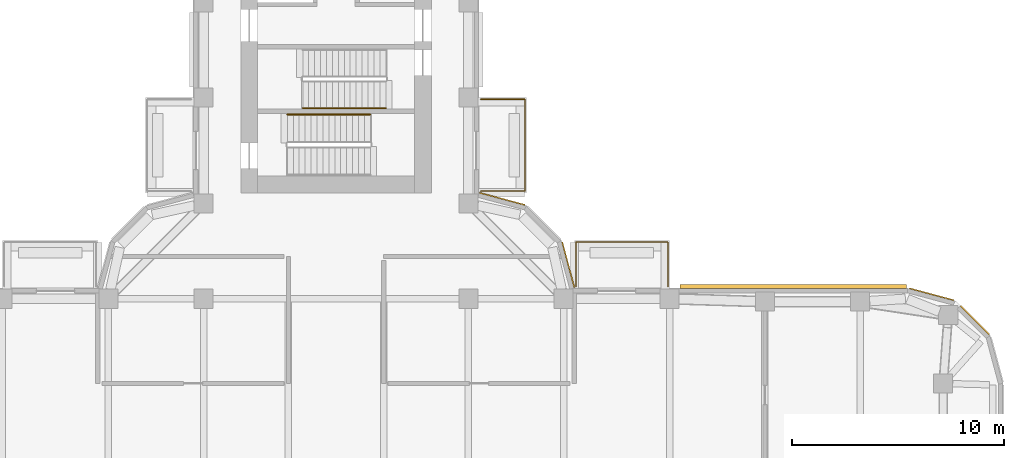
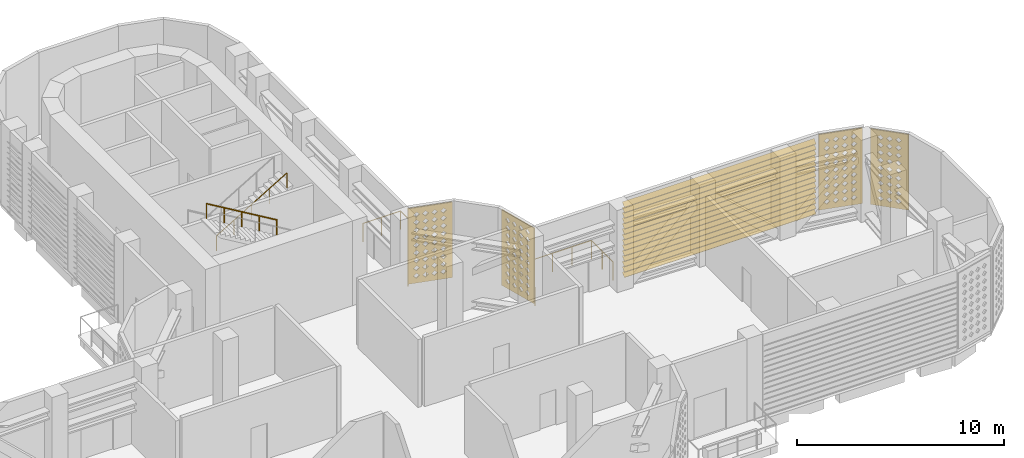
# One storey, part 17 of 20: 4 coverings, 4 railings, 1 shading device.
"""IFC4 building model written with IfcOpenShell, lengths in metres."""

import ifcopenshell
import ifcopenshell.guid

model = None  # the IFC model being written
_history = None  # IfcOwnerHistory: only IFC2X3 demands one
_inside = {}  # id of a spatial element -> (the spatial element, [elements in it])
_under = {}  # id of a project, library or spatial element -> (it, [spatial elements below it])
_declared = {}  # id of a project -> (the project, [libraries it declares])
_typed = {}  # id of a type object -> (the type object, [elements of that type])
_made_of = {}  # id of a material, layer set ... -> (it, [elements and type objects made of it])


def new_model(schema):
    """Start an empty IFC model of exactly this schema.

    Asked for "IFC4X3", IfcOpenShell would pick the latest addendum, in which some entities
    have other attributes; the version numbers below select the first issue.
    IFC2X3 requires an IfcOwnerHistory on every rooted entity: one is made here for all.
    """
    global model, _history
    if schema == "IFC4X3":
        model = ifcopenshell.file(schema_version=(4, 3, 0, 0))
    else:
        model = ifcopenshell.file(schema=schema)
    _inside.clear()
    _under.clear()
    _declared.clear()
    _typed.clear()
    _made_of.clear()
    _history = None
    if model.schema == "IFC2X3":
        org = make("IfcOrganization", Name="unknown")
        user = make(
            "IfcPersonAndOrganization",
            ThePerson=make("IfcPerson", FamilyName="unknown"),
            TheOrganization=org,
        )
        app = make(
            "IfcApplication",
            ApplicationDeveloper=org,
            Version="unknown",
            ApplicationFullName="unknown",
            ApplicationIdentifier="unknown",
        )
        _history = make(
            "IfcOwnerHistory",
            OwningUser=user,
            OwningApplication=app,
            ChangeAction="ADDED",
            CreationDate=0,
        )
    return model


def make(cls, **values):
    """One entity of the class cls with the attributes given. An attribute that is None is left unset."""
    return model.create_entity(
        cls, **{name: value for name, value in values.items() if value is not None}
    )


def rooted(cls, **values):
    """An entity with a GlobalId (a new one), such as an element, a storey or a relation."""
    return make(cls, GlobalId=ifcopenshell.guid.new(), OwnerHistory=_history, **values)


def si_unit(unit_type, name, prefix=None):
    """IfcSIUnit, for example si_unit("LENGTHUNIT", "METRE", prefix="MILLI")."""
    return make("IfcSIUnit", UnitType=unit_type, Prefix=prefix, Name=name)


def assignment(units):
    """IfcUnitAssignment: the units of a project."""
    return None if units is None else make("IfcUnitAssignment", Units=units)


def point(xyz):
    """IfcCartesianPoint."""
    return None if xyz is None else make("IfcCartesianPoint", Coordinates=xyz)


def direction(xyz):
    """IfcDirection."""
    return None if xyz is None else make("IfcDirection", DirectionRatios=xyz)


def frame(location, z_axis=None, x_axis=None):
    """IfcAxis2Placement3D, a coordinate frame: its origin and axes. An axis left out is left unset."""
    return make(
        "IfcAxis2Placement3D",
        Location=point(location),
        Axis=direction(z_axis),
        RefDirection=direction(x_axis),
    )


def frame_2d(location, x_axis=None):
    """IfcAxis2Placement2D, a coordinate frame in the plane: its origin and x axis."""
    return make(
        "IfcAxis2Placement2D", Location=point(location), RefDirection=direction(x_axis)
    )


def origin():
    """The frame at (0, 0, 0) with its axes left unset."""
    return frame((0.0, 0.0, 0.0))


def origin_2d():
    """The frame at (0, 0) in the plane with its x axis left unset."""
    return frame_2d((0.0, 0.0))


def place(relative_to, where):
    """IfcLocalPlacement: puts the frame where relative to a parent placement (None: the world)."""
    return make(
        "IfcLocalPlacement", PlacementRelTo=relative_to, RelativePlacement=where
    )


def context(
    kind, dimensions, precision=None, world=None, true_north=None, identifier=None
):
    """IfcGeometricRepresentationContext, for example the 3D "Model" context."""
    return make(
        "IfcGeometricRepresentationContext",
        ContextIdentifier=identifier,
        ContextType=kind,
        CoordinateSpaceDimension=dimensions,
        Precision=precision,
        WorldCoordinateSystem=world,
        TrueNorth=true_north,
    )


def subcontext(parent, identifier, kind, view, scale=None):
    """IfcGeometricRepresentationSubContext, for example "Body" below "Model"."""
    return make(
        "IfcGeometricRepresentationSubContext",
        ContextIdentifier=identifier,
        ContextType=kind,
        ParentContext=parent,
        TargetScale=scale,
        TargetView=view,
    )


def project(units=None, contexts=None):
    """IfcProject with its units and contexts."""
    return rooted(
        "IfcProject",
        Name="project",
        RepresentationContexts=contexts,
        UnitsInContext=assignment(units),
    )


def spatial(cls, under=None, at=None, **own):
    """A site, building, storey or space (cls), placed at a placement, below another one or the project."""
    s = rooted(cls, ObjectPlacement=at, **own)
    if under is not None:
        _under.setdefault(under.id(), (under, []))[1].append(s)
    return s


def polyline(points):
    """IfcPolyline through the points."""
    return make("IfcPolyline", Points=[point(p) for p in points])


def profile(cls, at=None, kind="AREA", **sizes):
    """A parametric profile (cls). Its sizes go by their IFC names, for example OverallWidth=200.0."""
    return make(cls, ProfileType=kind, Position=at, **sizes)


def circle(**sizes):
    """IfcCircleProfileDef."""
    return profile("IfcCircleProfileDef", **sizes)


def outline(outer, holes=None, kind="AREA"):
    """IfcArbitraryClosedProfileDef: a profile drawn as a closed curve; with holes, ...WithVoids."""
    if holes is None:
        return make("IfcArbitraryClosedProfileDef", ProfileType=kind, OuterCurve=outer)
    return make(
        "IfcArbitraryProfileDefWithVoids",
        ProfileType=kind,
        OuterCurve=outer,
        InnerCurves=holes,
    )


def extrude(swept, where, along, depth):
    """IfcExtrudedAreaSolid: the profile swept, set in the frame where, extruded along a direction by depth."""
    return make(
        "IfcExtrudedAreaSolid",
        SweptArea=swept,
        Position=where,
        ExtrudedDirection=direction(along),
        Depth=depth,
    )


def shape(context_of_items, identifier, shape_type, items):
    """IfcShapeRepresentation: the items that make up one representation, for example the "Body"."""
    return make(
        "IfcShapeRepresentation",
        ContextOfItems=context_of_items,
        RepresentationIdentifier=identifier,
        RepresentationType=shape_type,
        Items=items,
    )


def source(mapping_origin, context_of_items, identifier, shape_type, items):
    """IfcRepresentationMap: a shape defined once, which mapped items show again and again."""
    return make(
        "IfcRepresentationMap",
        MappingOrigin=mapping_origin,
        MappedRepresentation=shape(context_of_items, identifier, shape_type, items),
    )


def transform(
    local_origin,
    x_axis=None,
    y_axis=None,
    z_axis=None,
    scale=None,
    scale2=None,
    scale3=None,
    uniform=True,
):
    """IfcCartesianTransformationOperator3D, or its non-uniform kind. x_axis, y_axis, z_axis: its Axis1, 2, 3."""
    if uniform:
        return make(
            "IfcCartesianTransformationOperator3D",
            Axis1=direction(x_axis),
            Axis2=direction(y_axis),
            LocalOrigin=point(local_origin),
            Scale=scale,
            Axis3=direction(z_axis),
        )
    return make(
        "IfcCartesianTransformationOperator3DnonUniform",
        Axis1=direction(x_axis),
        Axis2=direction(y_axis),
        LocalOrigin=point(local_origin),
        Scale=scale,
        Axis3=direction(z_axis),
        Scale2=scale2,
        Scale3=scale3,
    )


def mapped(mapping_source, mapping_target):
    """IfcMappedItem: shows the shape of a source again, moved by a transform."""
    return make(
        "IfcMappedItem", MappingSource=mapping_source, MappingTarget=mapping_target
    )


def material(Name=None, Category=None):
    """IfcMaterial."""
    return make("IfcMaterial", Name=Name, Category=Category)


def layer(
    of_material, thickness, ventilated=None, Name=None, Category=None, Priority=None
):
    """IfcMaterialLayer: one layer of a wall or slab, of a material (None: an air gap)."""
    return make(
        "IfcMaterialLayer",
        Material=of_material,
        LayerThickness=thickness,
        IsVentilated=ventilated,
        Name=Name,
        Category=Category,
        Priority=Priority,
    )


def layer_set(layers, Name=None):
    """IfcMaterialLayerSet."""
    return make("IfcMaterialLayerSet", MaterialLayers=layers, LayerSetName=Name)


def made_of(thing, what):
    """Note that an element or type object is made of a material, layer set ...; save() writes the relation."""
    if what is not None:
        _made_of.setdefault(what.id(), (what, []))[1].append(thing)
    return thing


def type_object(cls, material=None, **own):
    """A type object (cls), such as IfcWallType, which elements share."""
    return made_of(rooted(cls, **own), material)


def element(
    cls,
    number,
    at=None,
    inside=None,
    cuts=None,
    type_object=None,
    material=None,
    context=None,
    identifier="Body",
    shape_type=None,
    held_by="IfcProductDefinitionShape",
    body=None,
    shapes=None,
    **own,
):
    """One element of the class cls, such as IfcWall. Its Tag is "e" and its number.

    at: its placement. inside: the storey or other place that contains it. cuts: it is an
    opening in that element (IfcRelVoidsElement). A single representation is given by context,
    identifier, shape_type and body (its items); several are given by shapes. held_by: the class
    of the entity that holds the representations. save() writes the other relations.
    """
    e = rooted(cls, Tag="e%d" % number, ObjectPlacement=at, **own)
    if body is not None:
        shapes = [shape(context, identifier, shape_type, body)]
    if shapes is not None:
        e.Representation = make(held_by, Representations=shapes)
    if inside is not None:
        _inside.setdefault(inside.id(), (inside, []))[1].append(e)
    if cuts is not None:
        rooted(
            "IfcRelVoidsElement", RelatingBuildingElement=cuts, RelatedOpeningElement=e
        )
    if type_object is not None:
        _typed.setdefault(type_object.id(), (type_object, []))[1].append(e)
    return made_of(e, material)


def aggregate(whole, parts):
    """IfcRelAggregates: a whole, such as a stair, and the parts it consists of."""
    return rooted("IfcRelAggregates", RelatingObject=whole, RelatedObjects=parts)


def save(model, path):
    """Write the relations noted so far, then the file.

    IfcRelAggregates (storeys below a building ...), IfcRelContainedInSpatialStructure (elements
    in a storey), IfcRelDefinesByType, IfcRelAssociatesMaterial and IfcRelDeclares: one each for
    every whole, place, type object, material and project.
    """
    for whole, parts in _under.values():
        aggregate(whole, parts)
    for where, things in _inside.values():
        rooted(
            "IfcRelContainedInSpatialStructure",
            RelatedElements=things,
            RelatingStructure=where,
        )
    for kind, things in _typed.values():
        rooted("IfcRelDefinesByType", RelatedObjects=things, RelatingType=kind)
    for what, things in _made_of.values():
        rooted("IfcRelAssociatesMaterial", RelatedObjects=things, RelatingMaterial=what)
    for by, libraries in _declared.values():
        rooted("IfcRelDeclares", RelatingContext=by, RelatedDefinitions=libraries)
    model.write(path)


model = new_model("IFC4")

# Units and contexts
model_context = context("Model", 3, precision=1e-05, world=origin(), true_north=direction((0.0, 1.0)))
body_context = subcontext(model_context, "Body", "Model", "MODEL_VIEW")
ifc_project = project(units=[si_unit("LENGTHUNIT", "METRE"), si_unit("AREAUNIT", "SQUARE_METRE"), si_unit("VOLUMEUNIT", "CUBIC_METRE"), si_unit("PLANEANGLEUNIT", "RADIAN"), si_unit("MASSUNIT", "GRAM", prefix="KILO")], contexts=[model_context])

# Site, building, storey
site_placement = place(None, origin())
site = spatial("IfcSite", under=ifc_project, at=site_placement, CompositionType="ELEMENT")
building_placement = place(site_placement, origin())
building = spatial("IfcBuilding", under=site, at=building_placement, Name="Zarbagh Exchange Tower", CompositionType="ELEMENT")
storey_placement = place(building_placement, frame((0.0, 0.0, 136.0)))
storey = spatial("IfcBuildingStorey", under=building, at=storey_placement, Name="L32", CompositionType="ELEMENT", Elevation=136.0)

# Railings
ifc_material_1 = material(Name="Stainless steel", Category="steel")
railing_type_1 = type_object("IfcRailingType", Name="Stair handrail 900 mm", PredefinedType="HANDRAIL", material=ifc_material_1)
railing_1_placement = place(storey_placement, frame((-1.570068359375, 15.25, 2.666748046875)))
element("IfcRailing", 1, at=railing_1_placement, inside=storey, type_object=railing_type_1, Name="ST1 stair handrail 2", PredefinedType="HANDRAIL", context=body_context, shape_type="SweptSolid", body=[
    extrude(circle(Radius=0.02392578125, at=origin_2d()), frame((0.0, 0.0, 0.8759765625), z_axis=(0.859310244771, 0.0, 0.511454693235), x_axis=(0.0, 1.0, 0.0)), (0.0, 0.0, 1.0), 4.56201171875),
    extrude(circle(Radius=0.02099609375, at=origin_2d()), origin(), (0.0, 0.0, 1.0), 0.851806640625),
    extrude(circle(Radius=0.02099609375, at=origin_2d()), frame((0.97998046875, 0.0, 0.583251953125)), (0.0, 0.0, 1.0), 0.851806640625),
    extrude(circle(Radius=0.02099609375, at=origin_2d()), frame((1.9599609375, 0.0, 1.16650390625)), (0.0, 0.0, 1.0), 0.851806640625),
    extrude(circle(Radius=0.02099609375, at=origin_2d()), frame((2.940185546875, 0.0, 1.75)), (0.0, 0.0, 1.0), 0.851806640625),
    extrude(circle(Radius=0.02099609375, at=origin_2d()), frame((3.920166015625, 0.0, 2.333251953125)), (0.0, 0.0, 1.0), 0.851806640625),
])
railing_2_placement = place(storey_placement, frame((1.6201171875, 14.949951171875, 2.666748046875)))
element("IfcRailing", 2, at=railing_2_placement, inside=storey, type_object=railing_type_1, Name="ST2 stair handrail 2", PredefinedType="HANDRAIL", context=body_context, shape_type="SweptSolid", body=[
    extrude(circle(Radius=0.02392578125, at=origin_2d()), frame((0.0, 0.0, 0.8759765625), z_axis=(-0.859310244771, 0.0, 0.511454693235), x_axis=(0.0, -1.0, 0.0)), (0.0, 0.0, 1.0), 4.56201171875),
    extrude(circle(Radius=0.02099609375, at=origin_2d()), origin(), (0.0, 0.0, 1.0), 0.851806640625),
    extrude(circle(Radius=0.02099609375, at=origin_2d()), frame((-0.97998046875, 0.0, 0.583251953125)), (0.0, 0.0, 1.0), 0.851806640625),
    extrude(circle(Radius=0.02099609375, at=origin_2d()), frame((-1.9599609375, 0.0, 1.16650390625)), (0.0, 0.0, 1.0), 0.851806640625),
    extrude(circle(Radius=0.02099609375, at=origin_2d()), frame((-2.940185546875, 0.0, 1.75)), (0.0, 0.0, 1.0), 0.851806640625),
    extrude(circle(Radius=0.02099609375, at=origin_2d()), frame((-3.920166015625, 0.0, 2.333251953125)), (0.0, 0.0, 1.0), 0.851806640625),
])
ifc_material_2 = material(Name="Stainless steel and laminated glass", Category="steel")
railing_type_2 = type_object("IfcRailingType", Name="Terrace guard, glass balustrade 1.1 m", PredefinedType="GUARDRAIL", material=ifc_material_2)
railing_3_placement = place(storey_placement, frame((6.830078125, 15.669921875, 0.0)))
element("IfcRailing", 3, at=railing_3_placement, inside=storey, type_object=railing_type_2, Name="TG01 terrace guard", PredefinedType="GUARDRAIL", context=body_context, shape_type="SweptSolid", body=[
    extrude(circle(Radius=0.02490234375, at=origin_2d()), frame((0.0, 0.0, 1.0751953125), z_axis=(1.0, 0.0, 0.0), x_axis=(0.0, 1.0, 0.0)), (0.0, 0.0, 1.0), 2.08984375),
    extrude(circle(Radius=0.02490234375, at=origin_2d()), frame((2.08984375, 0.0, 1.0751953125), z_axis=(0.0, -1.0, 0.0), x_axis=(1.0, 0.0, 0.0)), (0.0, 0.0, 1.0), 4.33984375),
    extrude(circle(Radius=0.02490234375, at=origin_2d()), frame((2.08984375, -4.33984375, 1.0751953125), z_axis=(-1.0, 0.0, 0.0), x_axis=(0.0, -1.0, 0.0)), (0.0, 0.0, 1.0), 2.08984375),
    extrude(circle(Radius=0.02490234375, at=origin_2d()), origin(), (0.0, 0.0, 1.0), 1.050048828125),
    extrude(circle(Radius=0.02490234375, at=origin_2d()), frame((1.044921875, 0.0, 0.0)), (0.0, 0.0, 1.0), 1.050048828125),
    extrude(circle(Radius=0.02490234375, at=origin_2d()), frame((2.08984375, 0.0, 0.0)), (0.0, 0.0, 1.0), 1.050048828125),
    extrude(circle(Radius=0.02490234375, at=origin_2d()), frame((2.08984375, -1.0849609375, 0.0)), (0.0, 0.0, 1.0), 1.050048828125),
    extrude(circle(Radius=0.02490234375, at=origin_2d()), frame((2.08984375, -2.169921875, 0.0)), (0.0, 0.0, 1.0), 1.050048828125),
    extrude(circle(Radius=0.02490234375, at=origin_2d()), frame((2.08984375, -3.2548828125, 0.0)), (0.0, 0.0, 1.0), 1.050048828125),
    extrude(circle(Radius=0.02490234375, at=origin_2d()), frame((2.08984375, -4.33984375, 0.0)), (0.0, 0.0, 1.0), 1.050048828125),
    extrude(circle(Radius=0.02490234375, at=origin_2d()), frame((1.044921875, -4.33984375, 0.0)), (0.0, 0.0, 1.0), 1.050048828125),
    extrude(circle(Radius=0.02490234375, at=origin_2d()), frame((0.0, -4.33984375, 0.0)), (0.0, 0.0, 1.0), 1.050048828125),
])
railing_4_placement = place(storey_placement, frame((11.330078125, 6.830078125, 0.0)))
element("IfcRailing", 4, at=railing_4_placement, inside=storey, type_object=railing_type_2, Name="TG01 terrace guard", PredefinedType="GUARDRAIL", context=body_context, shape_type="SweptSolid", body=[
    extrude(circle(Radius=0.02490234375, at=origin_2d()), frame((0.0, 0.0, 1.0751953125), z_axis=(0.0, 1.0, 0.0), x_axis=(-1.0, 0.0, 0.0)), (0.0, 0.0, 1.0), 2.08984375),
    extrude(circle(Radius=0.02490234375, at=origin_2d()), frame((0.0, 2.08984375, 1.0751953125), z_axis=(1.0, 0.0, 0.0), x_axis=(0.0, 1.0, 0.0)), (0.0, 0.0, 1.0), 4.33984375),
    extrude(circle(Radius=0.02490234375, at=origin_2d()), frame((4.33984375, 2.08984375, 1.0751953125), z_axis=(0.0, -1.0, 0.0), x_axis=(1.0, 0.0, 0.0)), (0.0, 0.0, 1.0), 2.08984375),
    extrude(circle(Radius=0.02490234375, at=origin_2d()), origin(), (0.0, 0.0, 1.0), 1.050048828125),
    extrude(circle(Radius=0.02490234375, at=origin_2d()), frame((0.0, 1.044921875, 0.0)), (0.0, 0.0, 1.0), 1.050048828125),
    extrude(circle(Radius=0.02490234375, at=origin_2d()), frame((0.0, 2.08984375, 0.0)), (0.0, 0.0, 1.0), 1.050048828125),
    extrude(circle(Radius=0.02490234375, at=origin_2d()), frame((1.0849609375, 2.08984375, 0.0)), (0.0, 0.0, 1.0), 1.050048828125),
    extrude(circle(Radius=0.02490234375, at=origin_2d()), frame((2.169921875, 2.08984375, 0.0)), (0.0, 0.0, 1.0), 1.050048828125),
    extrude(circle(Radius=0.02490234375, at=origin_2d()), frame((3.2548828125, 2.08984375, 0.0)), (0.0, 0.0, 1.0), 1.050048828125),
    extrude(circle(Radius=0.02490234375, at=origin_2d()), frame((4.33984375, 2.08984375, 0.0)), (0.0, 0.0, 1.0), 1.050048828125),
    extrude(circle(Radius=0.02490234375, at=origin_2d()), frame((4.33984375, 1.044921875, 0.0)), (0.0, 0.0, 1.0), 1.050048828125),
    extrude(circle(Radius=0.02490234375, at=origin_2d()), frame((4.33984375, 0.0, 0.0)), (0.0, 0.0, 1.0), 1.050048828125),
])

# Coverings
ifc_material_3 = material(Name="Glass-fibre reinforced concrete GFRC C50/60", Category="concrete")
ifc_layer = layer(ifc_material_3, 0.06005859375)
ifc_layer_set = layer_set([ifc_layer], Name="SCREEN jali panel, GFRC")
covering_type = type_object("IfcCoveringType", Name="SCREEN jali panel, GFRC", PredefinedType="CLADDING", material=ifc_layer_set)
shared_shape_1 = source(origin(), body_context, "Body", "SweptSolid", [
    extrude(outline(polyline([(0.0, 0.0), (2.181396484375, 0.0), (2.181396484375, 4.449951171875), (0.0, 4.449951171875), (0.0, 0.0)]), holes=[polyline([(0.265625, 0.425048828125), (0.415771484375, 0.27490234375), (0.565673828125, 0.425048828125), (0.415771484375, 0.574951171875), (0.265625, 0.425048828125)]), polyline([(0.265625, 0.875), (0.415771484375, 0.72509765625), (0.565673828125, 0.875), (0.415771484375, 1.02490234375), (0.265625, 0.875)]), polyline([(0.265625, 1.324951171875), (0.415771484375, 1.175048828125), (0.565673828125, 1.324951171875), (0.415771484375, 1.47509765625), (0.265625, 1.324951171875)]), polyline([(0.265625, 1.77490234375), (0.415771484375, 1.625), (0.565673828125, 1.77490234375), (0.415771484375, 1.925048828125), (0.265625, 1.77490234375)]), polyline([(0.265625, 2.22509765625), (0.415771484375, 2.074951171875), (0.565673828125, 2.22509765625), (0.415771484375, 2.375), (0.265625, 2.22509765625)]), polyline([(0.265625, 2.675048828125), (0.415771484375, 2.52490234375), (0.565673828125, 2.675048828125), (0.415771484375, 2.824951171875), (0.265625, 2.675048828125)]), polyline([(0.265625, 3.125), (0.415771484375, 2.97509765625), (0.565673828125, 3.125), (0.415771484375, 3.27490234375), (0.265625, 3.125)]), polyline([(0.265625, 3.574951171875), (0.415771484375, 3.425048828125), (0.565673828125, 3.574951171875), (0.415771484375, 3.72509765625), (0.265625, 3.574951171875)]), polyline([(0.265625, 4.02490234375), (0.415771484375, 3.875), (0.565673828125, 4.02490234375), (0.415771484375, 4.175048828125), (0.265625, 4.02490234375)]), polyline([(0.7158203125, 0.425048828125), (0.86572265625, 0.27490234375), (1.015625, 0.425048828125), (0.86572265625, 0.574951171875), (0.7158203125, 0.425048828125)]), polyline([(0.7158203125, 0.875), (0.86572265625, 0.72509765625), (1.015625, 0.875), (0.86572265625, 1.02490234375), (0.7158203125, 0.875)]), polyline([(0.7158203125, 1.324951171875), (0.86572265625, 1.175048828125), (1.015625, 1.324951171875), (0.86572265625, 1.47509765625), (0.7158203125, 1.324951171875)]), polyline([(0.7158203125, 1.77490234375), (0.86572265625, 1.625), (1.015625, 1.77490234375), (0.86572265625, 1.925048828125), (0.7158203125, 1.77490234375)]), polyline([(0.7158203125, 2.22509765625), (0.86572265625, 2.074951171875), (1.015625, 2.22509765625), (0.86572265625, 2.375), (0.7158203125, 2.22509765625)]), polyline([(0.7158203125, 2.675048828125), (0.86572265625, 2.52490234375), (1.015625, 2.675048828125), (0.86572265625, 2.824951171875), (0.7158203125, 2.675048828125)]), polyline([(0.7158203125, 3.125), (0.86572265625, 2.97509765625), (1.015625, 3.125), (0.86572265625, 3.27490234375), (0.7158203125, 3.125)]), polyline([(0.7158203125, 3.574951171875), (0.86572265625, 3.425048828125), (1.015625, 3.574951171875), (0.86572265625, 3.72509765625), (0.7158203125, 3.574951171875)]), polyline([(0.7158203125, 4.02490234375), (0.86572265625, 3.875), (1.015625, 4.02490234375), (0.86572265625, 4.175048828125), (0.7158203125, 4.02490234375)]), polyline([(1.165771484375, 0.425048828125), (1.315673828125, 0.27490234375), (1.4658203125, 0.425048828125), (1.315673828125, 0.574951171875), (1.165771484375, 0.425048828125)]), polyline([(1.165771484375, 0.875), (1.315673828125, 0.72509765625), (1.4658203125, 0.875), (1.315673828125, 1.02490234375), (1.165771484375, 0.875)]), polyline([(1.165771484375, 1.324951171875), (1.315673828125, 1.175048828125), (1.4658203125, 1.324951171875), (1.315673828125, 1.47509765625), (1.165771484375, 1.324951171875)]), polyline([(1.165771484375, 1.77490234375), (1.315673828125, 1.625), (1.4658203125, 1.77490234375), (1.315673828125, 1.925048828125), (1.165771484375, 1.77490234375)]), polyline([(1.165771484375, 2.22509765625), (1.315673828125, 2.074951171875), (1.4658203125, 2.22509765625), (1.315673828125, 2.375), (1.165771484375, 2.22509765625)]), polyline([(1.165771484375, 2.675048828125), (1.315673828125, 2.52490234375), (1.4658203125, 2.675048828125), (1.315673828125, 2.824951171875), (1.165771484375, 2.675048828125)]), polyline([(1.165771484375, 3.125), (1.315673828125, 2.97509765625), (1.4658203125, 3.125), (1.315673828125, 3.27490234375), (1.165771484375, 3.125)]), polyline([(1.165771484375, 3.574951171875), (1.315673828125, 3.425048828125), (1.4658203125, 3.574951171875), (1.315673828125, 3.72509765625), (1.165771484375, 3.574951171875)]), polyline([(1.165771484375, 4.02490234375), (1.315673828125, 3.875), (1.4658203125, 4.02490234375), (1.315673828125, 4.175048828125), (1.165771484375, 4.02490234375)]), polyline([(1.61572265625, 0.425048828125), (1.765625, 0.27490234375), (1.915771484375, 0.425048828125), (1.765625, 0.574951171875), (1.61572265625, 0.425048828125)]), polyline([(1.61572265625, 0.875), (1.765625, 0.72509765625), (1.915771484375, 0.875), (1.765625, 1.02490234375), (1.61572265625, 0.875)]), polyline([(1.61572265625, 1.324951171875), (1.765625, 1.175048828125), (1.915771484375, 1.324951171875), (1.765625, 1.47509765625), (1.61572265625, 1.324951171875)]), polyline([(1.61572265625, 1.77490234375), (1.765625, 1.625), (1.915771484375, 1.77490234375), (1.765625, 1.925048828125), (1.61572265625, 1.77490234375)]), polyline([(1.61572265625, 2.22509765625), (1.765625, 2.074951171875), (1.915771484375, 2.22509765625), (1.765625, 2.375), (1.61572265625, 2.22509765625)]), polyline([(1.61572265625, 2.675048828125), (1.765625, 2.52490234375), (1.915771484375, 2.675048828125), (1.765625, 2.824951171875), (1.61572265625, 2.675048828125)]), polyline([(1.61572265625, 3.125), (1.765625, 2.97509765625), (1.915771484375, 3.125), (1.765625, 3.27490234375), (1.61572265625, 3.125)]), polyline([(1.61572265625, 3.574951171875), (1.765625, 3.425048828125), (1.915771484375, 3.574951171875), (1.765625, 3.72509765625), (1.61572265625, 3.574951171875)]), polyline([(1.61572265625, 4.02490234375), (1.765625, 3.875), (1.915771484375, 4.02490234375), (1.765625, 4.175048828125), (1.61572265625, 4.02490234375)])]), origin(), (0.0, 0.0, 1.0), 0.06005859375),
])
placement = place(storey_placement, origin())
element("IfcCovering", 5, at=placement, inside=storey, type_object=covering_type, Name="JS47 jali screen", PredefinedType="CLADDING", context=body_context, shape_type="MappedRepresentation", body=[
    mapped(shared_shape_1, transform((29.16552734375, 6.14892578125, 0.199951171875), x_axis=(-0.965924215207, 0.258825057666, 0.0), y_axis=(0.0, 0.0, 1.0), z_axis=(0.258825057666, 0.965924215207, 0.0))),
])
shared_shape_2 = source(origin(), body_context, "Body", "SweptSolid", [
    extrude(outline(polyline([(0.0, 0.0), (2.225341796875, 0.0), (2.225341796875, 4.449951171875), (0.0, 4.449951171875), (0.0, 0.0)]), holes=[polyline([(0.28759765625, 0.425048828125), (0.437744140625, 0.27490234375), (0.587646484375, 0.425048828125), (0.437744140625, 0.574951171875), (0.28759765625, 0.425048828125)]), polyline([(0.28759765625, 0.875), (0.437744140625, 0.72509765625), (0.587646484375, 0.875), (0.437744140625, 1.02490234375), (0.28759765625, 0.875)]), polyline([(0.28759765625, 1.324951171875), (0.437744140625, 1.175048828125), (0.587646484375, 1.324951171875), (0.437744140625, 1.47509765625), (0.28759765625, 1.324951171875)]), polyline([(0.28759765625, 1.77490234375), (0.437744140625, 1.625), (0.587646484375, 1.77490234375), (0.437744140625, 1.925048828125), (0.28759765625, 1.77490234375)]), polyline([(0.28759765625, 2.22509765625), (0.437744140625, 2.074951171875), (0.587646484375, 2.22509765625), (0.437744140625, 2.375), (0.28759765625, 2.22509765625)]), polyline([(0.28759765625, 2.675048828125), (0.437744140625, 2.52490234375), (0.587646484375, 2.675048828125), (0.437744140625, 2.824951171875), (0.28759765625, 2.675048828125)]), polyline([(0.28759765625, 3.125), (0.437744140625, 2.97509765625), (0.587646484375, 3.125), (0.437744140625, 3.27490234375), (0.28759765625, 3.125)]), polyline([(0.28759765625, 3.574951171875), (0.437744140625, 3.425048828125), (0.587646484375, 3.574951171875), (0.437744140625, 3.72509765625), (0.28759765625, 3.574951171875)]), polyline([(0.28759765625, 4.02490234375), (0.437744140625, 3.875), (0.587646484375, 4.02490234375), (0.437744140625, 4.175048828125), (0.28759765625, 4.02490234375)]), polyline([(0.73779296875, 0.425048828125), (0.8876953125, 0.27490234375), (1.03759765625, 0.425048828125), (0.8876953125, 0.574951171875), (0.73779296875, 0.425048828125)]), polyline([(0.73779296875, 0.875), (0.8876953125, 0.72509765625), (1.03759765625, 0.875), (0.8876953125, 1.02490234375), (0.73779296875, 0.875)]), polyline([(0.73779296875, 1.324951171875), (0.8876953125, 1.175048828125), (1.03759765625, 1.324951171875), (0.8876953125, 1.47509765625), (0.73779296875, 1.324951171875)]), polyline([(0.73779296875, 1.77490234375), (0.8876953125, 1.625), (1.03759765625, 1.77490234375), (0.8876953125, 1.925048828125), (0.73779296875, 1.77490234375)]), polyline([(0.73779296875, 2.22509765625), (0.8876953125, 2.074951171875), (1.03759765625, 2.22509765625), (0.8876953125, 2.375), (0.73779296875, 2.22509765625)]), polyline([(0.73779296875, 2.675048828125), (0.8876953125, 2.52490234375), (1.03759765625, 2.675048828125), (0.8876953125, 2.824951171875), (0.73779296875, 2.675048828125)]), polyline([(0.73779296875, 3.125), (0.8876953125, 2.97509765625), (1.03759765625, 3.125), (0.8876953125, 3.27490234375), (0.73779296875, 3.125)]), polyline([(0.73779296875, 3.574951171875), (0.8876953125, 3.425048828125), (1.03759765625, 3.574951171875), (0.8876953125, 3.72509765625), (0.73779296875, 3.574951171875)]), polyline([(0.73779296875, 4.02490234375), (0.8876953125, 3.875), (1.03759765625, 4.02490234375), (0.8876953125, 4.175048828125), (0.73779296875, 4.02490234375)]), polyline([(1.187744140625, 0.425048828125), (1.337646484375, 0.27490234375), (1.48779296875, 0.425048828125), (1.337646484375, 0.574951171875), (1.187744140625, 0.425048828125)]), polyline([(1.187744140625, 0.875), (1.337646484375, 0.72509765625), (1.48779296875, 0.875), (1.337646484375, 1.02490234375), (1.187744140625, 0.875)]), polyline([(1.187744140625, 1.324951171875), (1.337646484375, 1.175048828125), (1.48779296875, 1.324951171875), (1.337646484375, 1.47509765625), (1.187744140625, 1.324951171875)]), polyline([(1.187744140625, 1.77490234375), (1.337646484375, 1.625), (1.48779296875, 1.77490234375), (1.337646484375, 1.925048828125), (1.187744140625, 1.77490234375)]), polyline([(1.187744140625, 2.22509765625), (1.337646484375, 2.074951171875), (1.48779296875, 2.22509765625), (1.337646484375, 2.375), (1.187744140625, 2.22509765625)]), polyline([(1.187744140625, 2.675048828125), (1.337646484375, 2.52490234375), (1.48779296875, 2.675048828125), (1.337646484375, 2.824951171875), (1.187744140625, 2.675048828125)]), polyline([(1.187744140625, 3.125), (1.337646484375, 2.97509765625), (1.48779296875, 3.125), (1.337646484375, 3.27490234375), (1.187744140625, 3.125)]), polyline([(1.187744140625, 3.574951171875), (1.337646484375, 3.425048828125), (1.48779296875, 3.574951171875), (1.337646484375, 3.72509765625), (1.187744140625, 3.574951171875)]), polyline([(1.187744140625, 4.02490234375), (1.337646484375, 3.875), (1.48779296875, 4.02490234375), (1.337646484375, 4.175048828125), (1.187744140625, 4.02490234375)]), polyline([(1.6376953125, 0.425048828125), (1.78759765625, 0.27490234375), (1.937744140625, 0.425048828125), (1.78759765625, 0.574951171875), (1.6376953125, 0.425048828125)]), polyline([(1.6376953125, 0.875), (1.78759765625, 0.72509765625), (1.937744140625, 0.875), (1.78759765625, 1.02490234375), (1.6376953125, 0.875)]), polyline([(1.6376953125, 1.324951171875), (1.78759765625, 1.175048828125), (1.937744140625, 1.324951171875), (1.78759765625, 1.47509765625), (1.6376953125, 1.324951171875)]), polyline([(1.6376953125, 1.77490234375), (1.78759765625, 1.625), (1.937744140625, 1.77490234375), (1.78759765625, 1.925048828125), (1.6376953125, 1.77490234375)]), polyline([(1.6376953125, 2.22509765625), (1.78759765625, 2.074951171875), (1.937744140625, 2.22509765625), (1.78759765625, 2.375), (1.6376953125, 2.22509765625)]), polyline([(1.6376953125, 2.675048828125), (1.78759765625, 2.52490234375), (1.937744140625, 2.675048828125), (1.78759765625, 2.824951171875), (1.6376953125, 2.675048828125)]), polyline([(1.6376953125, 3.125), (1.78759765625, 2.97509765625), (1.937744140625, 3.125), (1.78759765625, 3.27490234375), (1.6376953125, 3.125)]), polyline([(1.6376953125, 3.574951171875), (1.78759765625, 3.425048828125), (1.937744140625, 3.574951171875), (1.78759765625, 3.72509765625), (1.6376953125, 3.574951171875)]), polyline([(1.6376953125, 4.02490234375), (1.78759765625, 3.875), (1.937744140625, 4.02490234375), (1.78759765625, 4.175048828125), (1.6376953125, 4.02490234375)])]), origin(), (0.0, 0.0, 1.0), 0.06005859375),
])
element("IfcCovering", 6, at=placement, inside=storey, type_object=covering_type, Name="JS14 jali screen", PredefinedType="CLADDING", context=body_context, shape_type="MappedRepresentation", body=[
    mapped(shared_shape_2, transform((11.22509765625, 6.765869140625, 0.199951171875), x_axis=(-0.258825057666, 0.965924215207, 0.0), y_axis=(0.0, 0.0, 1.0), z_axis=(0.965924215207, 0.258825057666, 0.0))),
])
element("IfcCovering", 7, at=placement, inside=storey, type_object=covering_type, Name="JS16 jali screen", PredefinedType="CLADDING", context=body_context, shape_type="MappedRepresentation", body=[
    mapped(shared_shape_2, transform((8.91552734375, 10.64892578125, 0.199951171875), x_axis=(-0.965924215207, 0.258825057666, 0.0), y_axis=(0.0, 0.0, 1.0), z_axis=(0.258825057666, 0.965924215207, 0.0))),
])

# Shading device
ifc_material_4 = material(Name="Anodised aluminium", Category="aluminium")
shading_device_type = type_object("IfcShadingDeviceType", Name="LOUVRE plant louvre, fixed blades", PredefinedType="USERDEFINED", material=ifc_material_4)
shared_shape_3 = source(origin(), body_context, "Body", "SweptSolid", [
    extrude(outline(polyline([(0.0, 0.199951171875), (0.199951171875, 0.0), (0.199951171875, -0.02001953125), (0.0, 0.179931640625), (0.0, 0.199951171875)])), origin(), (0.0, 0.0, 1.0), 10.694091796875),
])
element("IfcShadingDevice", 8, at=placement, inside=storey, type_object=shading_device_type, Name="LV10 plant louvre", ObjectType="LOUVRE", PredefinedType="USERDEFINED", context=body_context, shape_type="MappedRepresentation", body=[
    mapped(shared_shape_3, transform((26.93408203125, 6.72998046875, 0.199951171875), x_axis=(0.0, 1.0, 0.0), y_axis=(0.0, 0.0, -1.0), z_axis=(-1.0, 0.0, 0.0))),
    mapped(shared_shape_3, transform((26.93408203125, 6.72998046875, 0.517822265625), x_axis=(0.0, 1.0, 0.0), y_axis=(0.0, 0.0, -1.0), z_axis=(-1.0, 0.0, 0.0))),
    mapped(shared_shape_3, transform((26.93408203125, 6.72998046875, 0.835693359375), x_axis=(0.0, 1.0, 0.0), y_axis=(0.0, 0.0, -1.0), z_axis=(-1.0, 0.0, 0.0))),
    mapped(shared_shape_3, transform((26.93408203125, 6.72998046875, 1.153564453125), x_axis=(0.0, 1.0, 0.0), y_axis=(0.0, 0.0, -1.0), z_axis=(-1.0, 0.0, 0.0))),
    mapped(shared_shape_3, transform((26.93408203125, 6.72998046875, 1.471435546875), x_axis=(0.0, 1.0, 0.0), y_axis=(0.0, 0.0, -1.0), z_axis=(-1.0, 0.0, 0.0))),
    mapped(shared_shape_3, transform((26.93408203125, 6.72998046875, 1.789306640625), x_axis=(0.0, 1.0, 0.0), y_axis=(0.0, 0.0, -1.0), z_axis=(-1.0, 0.0, 0.0))),
    mapped(shared_shape_3, transform((26.93408203125, 6.72998046875, 2.107177734375), x_axis=(0.0, 1.0, 0.0), y_axis=(0.0, 0.0, -1.0), z_axis=(-1.0, 0.0, 0.0))),
    mapped(shared_shape_3, transform((26.93408203125, 6.72998046875, 2.425048828125), x_axis=(0.0, 1.0, 0.0), y_axis=(0.0, 0.0, -1.0), z_axis=(-1.0, 0.0, 0.0))),
    mapped(shared_shape_3, transform((26.93408203125, 6.72998046875, 2.742919921875), x_axis=(0.0, 1.0, 0.0), y_axis=(0.0, 0.0, -1.0), z_axis=(-1.0, 0.0, 0.0))),
    mapped(shared_shape_3, transform((26.93408203125, 6.72998046875, 3.060791015625), x_axis=(0.0, 1.0, 0.0), y_axis=(0.0, 0.0, -1.0), z_axis=(-1.0, 0.0, 0.0))),
    mapped(shared_shape_3, transform((26.93408203125, 6.72998046875, 3.378662109375), x_axis=(0.0, 1.0, 0.0), y_axis=(0.0, 0.0, -1.0), z_axis=(-1.0, 0.0, 0.0))),
    mapped(shared_shape_3, transform((26.93408203125, 6.72998046875, 3.696533203125), x_axis=(0.0, 1.0, 0.0), y_axis=(0.0, 0.0, -1.0), z_axis=(-1.0, 0.0, 0.0))),
    mapped(shared_shape_3, transform((26.93408203125, 6.72998046875, 4.014404296875), x_axis=(0.0, 1.0, 0.0), y_axis=(0.0, 0.0, -1.0), z_axis=(-1.0, 0.0, 0.0))),
    mapped(shared_shape_3, transform((26.93408203125, 6.72998046875, 4.33203125), x_axis=(0.0, 1.0, 0.0), y_axis=(0.0, 0.0, -1.0), z_axis=(-1.0, 0.0, 0.0))),
])

# Covering
shared_shape_4 = source(origin(), body_context, "Body", "SweptSolid", [
    extrude(outline(polyline([(0.0, 0.0), (1.91796875, 0.0), (1.91796875, 4.449951171875), (0.0, 4.449951171875), (0.0, 0.0)]), holes=[polyline([(0.35888671875, 0.425048828125), (0.509033203125, 0.27490234375), (0.658935546875, 0.425048828125), (0.509033203125, 0.574951171875), (0.35888671875, 0.425048828125)]), polyline([(0.35888671875, 0.875), (0.509033203125, 0.72509765625), (0.658935546875, 0.875), (0.509033203125, 1.02490234375), (0.35888671875, 0.875)]), polyline([(0.35888671875, 1.324951171875), (0.509033203125, 1.175048828125), (0.658935546875, 1.324951171875), (0.509033203125, 1.47509765625), (0.35888671875, 1.324951171875)]), polyline([(0.35888671875, 1.77490234375), (0.509033203125, 1.625), (0.658935546875, 1.77490234375), (0.509033203125, 1.925048828125), (0.35888671875, 1.77490234375)]), polyline([(0.35888671875, 2.22509765625), (0.509033203125, 2.074951171875), (0.658935546875, 2.22509765625), (0.509033203125, 2.375), (0.35888671875, 2.22509765625)]), polyline([(0.35888671875, 2.675048828125), (0.509033203125, 2.52490234375), (0.658935546875, 2.675048828125), (0.509033203125, 2.824951171875), (0.35888671875, 2.675048828125)]), polyline([(0.35888671875, 3.125), (0.509033203125, 2.97509765625), (0.658935546875, 3.125), (0.509033203125, 3.27490234375), (0.35888671875, 3.125)]), polyline([(0.35888671875, 3.574951171875), (0.509033203125, 3.425048828125), (0.658935546875, 3.574951171875), (0.509033203125, 3.72509765625), (0.35888671875, 3.574951171875)]), polyline([(0.35888671875, 4.02490234375), (0.509033203125, 3.875), (0.658935546875, 4.02490234375), (0.509033203125, 4.175048828125), (0.35888671875, 4.02490234375)]), polyline([(0.808837890625, 0.425048828125), (0.958984375, 0.27490234375), (1.10888671875, 0.425048828125), (0.958984375, 0.574951171875), (0.808837890625, 0.425048828125)]), polyline([(0.808837890625, 0.875), (0.958984375, 0.72509765625), (1.10888671875, 0.875), (0.958984375, 1.02490234375), (0.808837890625, 0.875)]), polyline([(0.808837890625, 1.324951171875), (0.958984375, 1.175048828125), (1.10888671875, 1.324951171875), (0.958984375, 1.47509765625), (0.808837890625, 1.324951171875)]), polyline([(0.808837890625, 1.77490234375), (0.958984375, 1.625), (1.10888671875, 1.77490234375), (0.958984375, 1.925048828125), (0.808837890625, 1.77490234375)]), polyline([(0.808837890625, 2.22509765625), (0.958984375, 2.074951171875), (1.10888671875, 2.22509765625), (0.958984375, 2.375), (0.808837890625, 2.22509765625)]), polyline([(0.808837890625, 2.675048828125), (0.958984375, 2.52490234375), (1.10888671875, 2.675048828125), (0.958984375, 2.824951171875), (0.808837890625, 2.675048828125)]), polyline([(0.808837890625, 3.125), (0.958984375, 2.97509765625), (1.10888671875, 3.125), (0.958984375, 3.27490234375), (0.808837890625, 3.125)]), polyline([(0.808837890625, 3.574951171875), (0.958984375, 3.425048828125), (1.10888671875, 3.574951171875), (0.958984375, 3.72509765625), (0.808837890625, 3.574951171875)]), polyline([(0.808837890625, 4.02490234375), (0.958984375, 3.875), (1.10888671875, 4.02490234375), (0.958984375, 4.175048828125), (0.808837890625, 4.02490234375)]), polyline([(1.259033203125, 0.425048828125), (1.408935546875, 0.27490234375), (1.558837890625, 0.425048828125), (1.408935546875, 0.574951171875), (1.259033203125, 0.425048828125)]), polyline([(1.259033203125, 0.875), (1.408935546875, 0.72509765625), (1.558837890625, 0.875), (1.408935546875, 1.02490234375), (1.259033203125, 0.875)]), polyline([(1.259033203125, 1.324951171875), (1.408935546875, 1.175048828125), (1.558837890625, 1.324951171875), (1.408935546875, 1.47509765625), (1.259033203125, 1.324951171875)]), polyline([(1.259033203125, 1.77490234375), (1.408935546875, 1.625), (1.558837890625, 1.77490234375), (1.408935546875, 1.925048828125), (1.259033203125, 1.77490234375)]), polyline([(1.259033203125, 2.22509765625), (1.408935546875, 2.074951171875), (1.558837890625, 2.22509765625), (1.408935546875, 2.375), (1.259033203125, 2.22509765625)]), polyline([(1.259033203125, 2.675048828125), (1.408935546875, 2.52490234375), (1.558837890625, 2.675048828125), (1.408935546875, 2.824951171875), (1.259033203125, 2.675048828125)]), polyline([(1.259033203125, 3.125), (1.408935546875, 2.97509765625), (1.558837890625, 3.125), (1.408935546875, 3.27490234375), (1.259033203125, 3.125)]), polyline([(1.259033203125, 3.574951171875), (1.408935546875, 3.425048828125), (1.558837890625, 3.574951171875), (1.408935546875, 3.72509765625), (1.259033203125, 3.574951171875)]), polyline([(1.259033203125, 4.02490234375), (1.408935546875, 3.875), (1.558837890625, 4.02490234375), (1.408935546875, 4.175048828125), (1.259033203125, 4.02490234375)])]), origin(), (0.0, 0.0, 1.0), 0.06005859375),
])
element("IfcCovering", 9, at=placement, inside=storey, type_object=covering_type, Name="JS46 jali screen", PredefinedType="CLADDING", context=body_context, shape_type="MappedRepresentation", body=[
    mapped(shared_shape_4, transform((30.824951171875, 4.5439453125, 0.199951171875), x_axis=(-0.707106781187, 0.707106781187, 0.0), y_axis=(0.0, 0.0, 1.0), z_axis=(0.707106781187, 0.707106781187, 0.0))),
])

save(model, "model.ifc")
